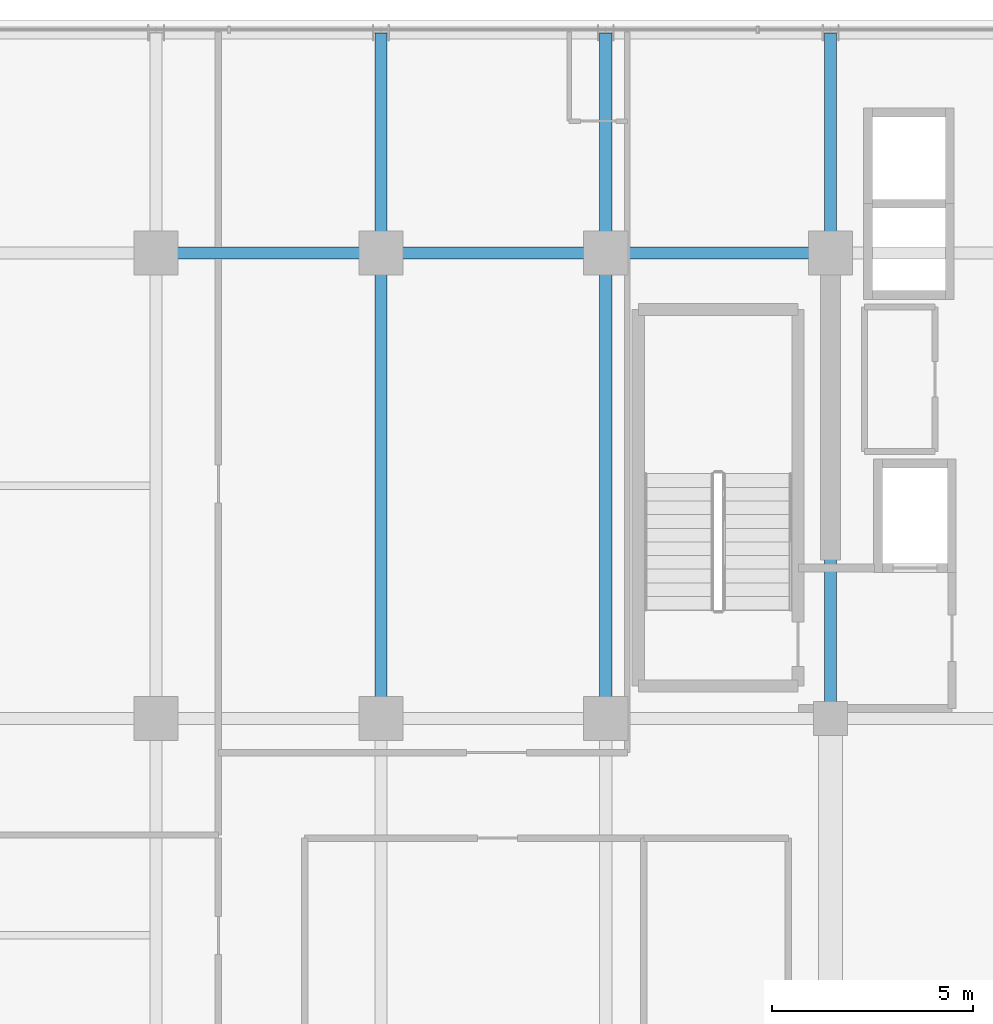
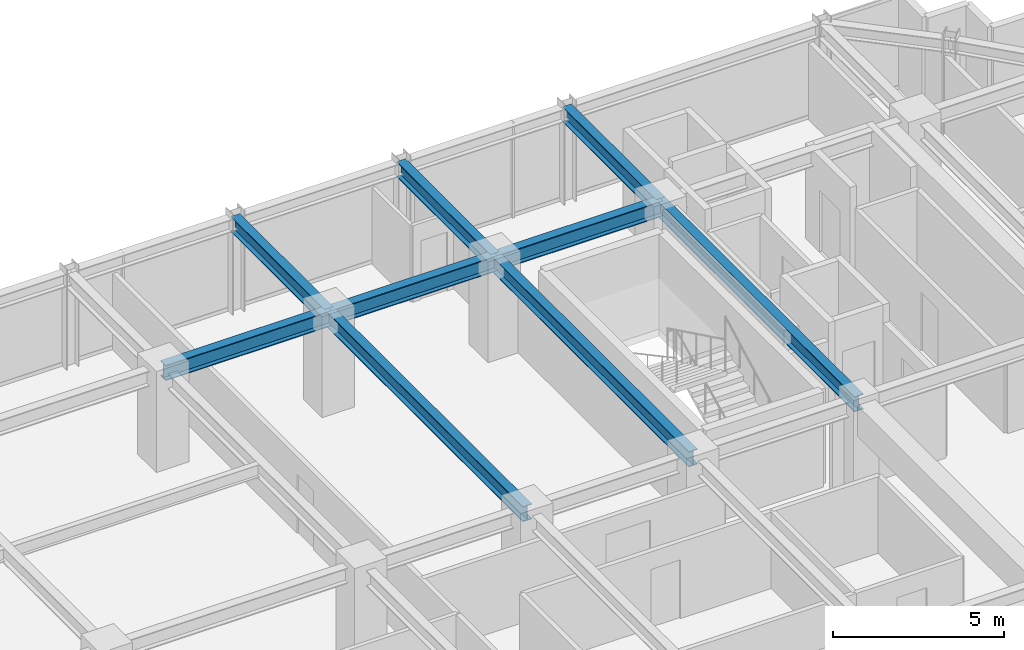
# One storey, part 16 of 31: 9 beams.
"""IFC4 building model written with IfcOpenShell, lengths in metres."""

from ifc_helpers import new_model, si_unit, direction, frame, origin, origin_2d, place, context, subcontext, project, spatial, i_section, extrude, source, transform, mapped, material, material_profile, profile_set, type_object, element, save


model = new_model("IFC4")

# Units and contexts
model_context = context("Model", 3, precision=1e-05, world=origin(), true_north=direction((0.0, 1.0)))
body_context = subcontext(model_context, "Body", "Model", "MODEL_VIEW")
ifc_project = project(units=[si_unit("LENGTHUNIT", "METRE"), si_unit("AREAUNIT", "SQUARE_METRE"), si_unit("VOLUMEUNIT", "CUBIC_METRE"), si_unit("PLANEANGLEUNIT", "RADIAN"), si_unit("MASSUNIT", "GRAM", prefix="KILO")], contexts=[model_context])

# Site, building, storey
site_placement = place(None, origin())
site = spatial("IfcSite", under=ifc_project, at=site_placement, CompositionType="ELEMENT")
building_placement = place(site_placement, origin())
building = spatial("IfcBuilding", under=site, at=building_placement, Name="Nahalor Promenade Grand Hotel", CompositionType="ELEMENT")
storey_placement = place(building_placement, frame((0.0, 0.0, 192.800048828125)))
storey = spatial("IfcBuildingStorey", under=building, at=storey_placement, Name="L49", CompositionType="ELEMENT", Elevation=192.800048828125)

# Beams
ifc_material = material(Name="Steel S355JR", Category="steel")
ifc_material_profile = material_profile(ifc_material, i_section(OverallWidth=0.3, OverallDepth=0.55, WebThickness=0.015, FlangeThickness=0.029, at=origin_2d()), Name="HEB 550")
ifc_profile_set = profile_set([ifc_material_profile], Name="Steel S355JR")
beam_type = type_object("IfcBeamType", Name="Beam-Girder-HEB550", PredefinedType="BEAM", material=ifc_profile_set)
shared_shape_1 = source(origin(), body_context, "Body", "SweptSolid", [
    extrude(i_section(OverallWidth=0.3, OverallDepth=0.55, WebThickness=0.015, FlangeThickness=0.029, at=origin_2d()), origin(), (0.0, 0.0, 1.0), 5.599853515625),
])
for number, where, z_axis, x_axis, name in (
    (1, (-8.39990234375, 17.0, 3.114990234375), (1.0, 0.0, 0.0), (0.0, 1.0, 0.0), "BM-L49-GX-3-2"),
    (2, (2.800048828125, 17.0, 3.114990234375), (1.0, 0.0, 0.0), (0.0, 1.0, 0.0), "BM-L49-GX-3-4"),
):
    element("IfcBeam", number, at=place(storey_placement, frame(where, z_axis=z_axis, x_axis=x_axis)), inside=storey, type_object=beam_type, Name=name, PredefinedType="BEAM", context=body_context, shape_type="MappedRepresentation", body=[
        mapped(shared_shape_1, transform((0.0, 0.0, 0.0), scale=1.0)),
    ])
shared_shape_2 = source(origin(), body_context, "Body", "SweptSolid", [
    extrude(i_section(OverallWidth=0.3, OverallDepth=0.55, WebThickness=0.015, FlangeThickness=0.029, at=origin_2d()), origin(), (0.0, 0.0, 1.0), 5.60009765625),
])
beam_placement = place(storey_placement, frame((-2.800048828125, 17.0, 3.114990234375), z_axis=(1.0, 0.0, 0.0), x_axis=(0.0, 1.0, 0.0)))
element("IfcBeam", 3, at=beam_placement, inside=storey, type_object=beam_type, Name="BM-L49-GX-3-3", PredefinedType="BEAM", context=body_context, shape_type="MappedRepresentation", body=[
    mapped(shared_shape_2, transform((0.0, 0.0, 0.0), scale=1.0)),
])
shared_shape_3 = source(origin(), body_context, "Body", "SweptSolid", [
    extrude(i_section(OverallWidth=0.3, OverallDepth=0.55, WebThickness=0.015, FlangeThickness=0.029, at=origin_2d()), origin(), (0.0, 0.0, 1.0), 11.60009765625),
])
for number, where, z_axis, x_axis, name in (
    (4, (-2.800048828125, 5.39990234375, 3.114990234375), (0.0, 1.0, 0.0), (-1.0, 0.0, 0.0), "BM-L49-GY-2-3"),
    (5, (2.800048828125, 5.39990234375, 3.114990234375), (0.0, 1.0, 0.0), (-1.0, 0.0, 0.0), "BM-L49-GY-3-3"),
    (6, (8.39990234375, 5.39990234375, 3.114990234375), (0.0, 1.0, 0.0), (-1.0, 0.0, 0.0), "BM-L49-GY-4-3"),
):
    element("IfcBeam", number, at=place(storey_placement, frame(where, z_axis=z_axis, x_axis=x_axis)), inside=storey, type_object=beam_type, Name=name, PredefinedType="BEAM", context=body_context, shape_type="MappedRepresentation", body=[
        mapped(shared_shape_3, transform((0.0, 0.0, 0.0), scale=1.0)),
    ])
shared_shape_4 = source(origin(), body_context, "Body", "SweptSolid", [
    extrude(i_section(OverallWidth=0.3, OverallDepth=0.55, WebThickness=0.015, FlangeThickness=0.029, at=origin_2d()), origin(), (0.0, 0.0, 1.0), 5.47998046875),
])
for number, where, z_axis, x_axis, name in (
    (7, (-2.800048828125, 17.0, 3.114990234375), (0.0, 1.0, 0.0), (-1.0, 0.0, 0.0), "BM-L49-GY-2-4"),
    (8, (2.800048828125, 17.0, 3.114990234375), (0.0, 1.0, 0.0), (-1.0, 0.0, 0.0), "BM-L49-GY-3-4"),
    (9, (8.39990234375, 17.0, 3.114990234375), (0.0, 1.0, 0.0), (-1.0, 0.0, 0.0), "BM-L49-GY-4-4"),
):
    element("IfcBeam", number, at=place(storey_placement, frame(where, z_axis=z_axis, x_axis=x_axis)), inside=storey, type_object=beam_type, Name=name, PredefinedType="BEAM", context=body_context, shape_type="MappedRepresentation", body=[
        mapped(shared_shape_4, transform((0.0, 0.0, 0.0), scale=1.0)),
    ])

save(model, "model.ifc")
